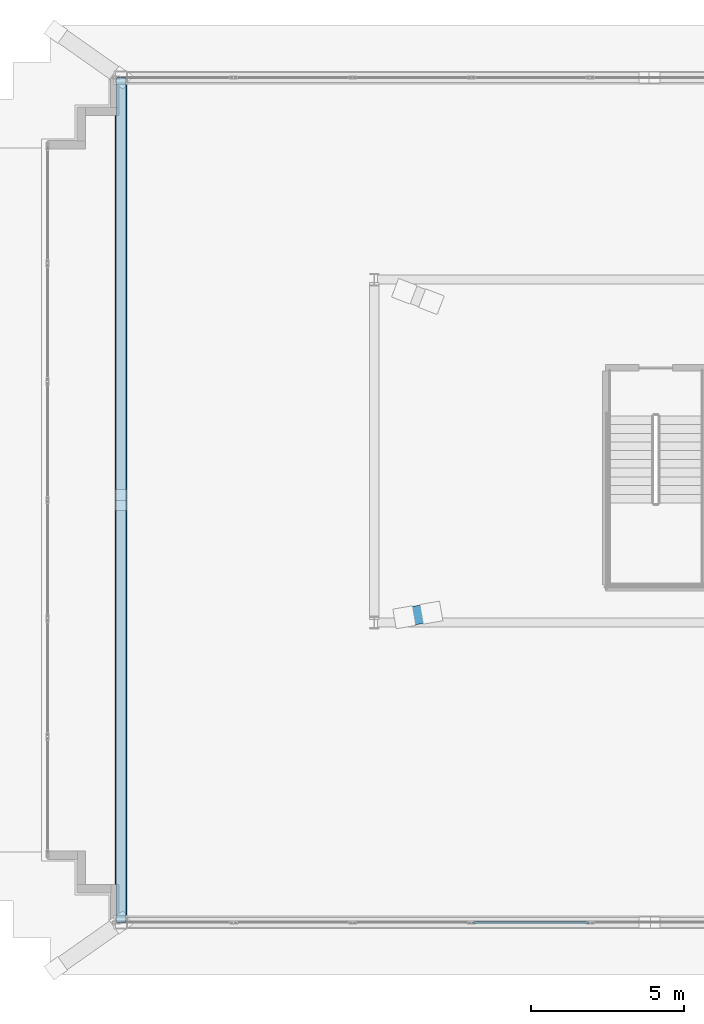
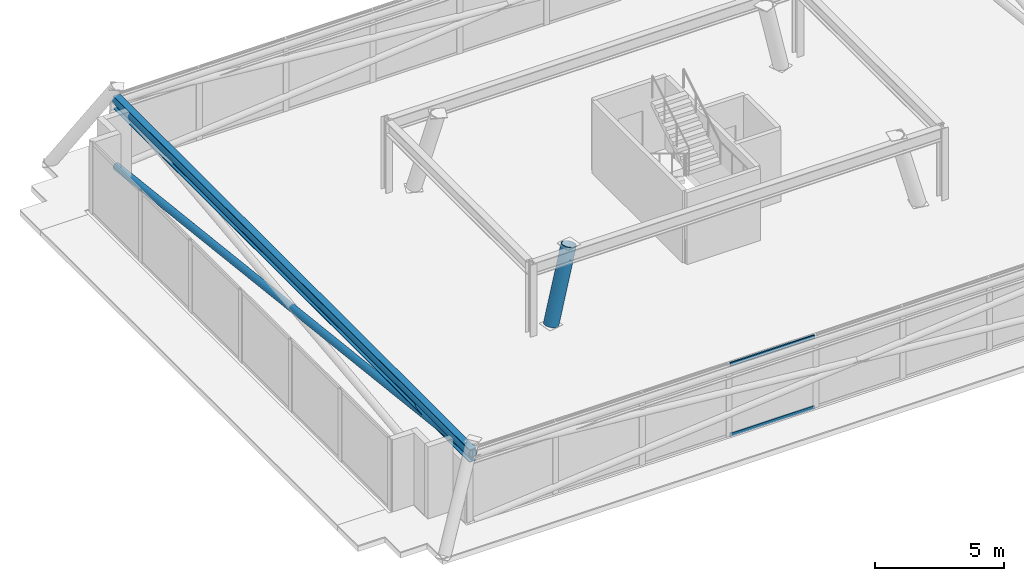
# One storey, part 4 of 22: 5 members, 1 beam, 1 element without a shape of its own.
"""IFC4 building model written with IfcOpenShell, lengths in metres."""

from ifc_helpers import new_model, si_unit, direction, frame, origin, origin_2d, place, context, subcontext, project, spatial, hollow_rectangle, hollow_circle, i_section, extrude, material, layer, layer_set, material_profile, profile_set, type_object, element, aggregate, save


model = new_model("IFC4")

# Units and contexts
model_context = context("Model", 3, precision=1e-05, world=origin(), true_north=direction((0.0, 1.0)))
body_context = subcontext(model_context, "Body", "Model", "MODEL_VIEW")
ifc_project = project(units=[si_unit("LENGTHUNIT", "METRE"), si_unit("AREAUNIT", "SQUARE_METRE"), si_unit("VOLUMEUNIT", "CUBIC_METRE"), si_unit("PLANEANGLEUNIT", "RADIAN"), si_unit("MASSUNIT", "GRAM", prefix="KILO")], contexts=[model_context])

# Site, building, storey
site_placement = place(None, origin())
site = spatial("IfcSite", under=ifc_project, at=site_placement, CompositionType="ELEMENT")
building_placement = place(site_placement, origin())
building = spatial("IfcBuilding", under=site, at=building_placement, Name="Qobustan Lattice House", CompositionType="ELEMENT")
storey_placement = place(building_placement, frame((0.0, 0.0, 274.0)))
storey = spatial("IfcBuildingStorey", under=building, at=storey_placement, Name="L77", CompositionType="ELEMENT", Elevation=274.0)

# Beam
ifc_material_1 = material(Name="Steel S355", Category="steel")
ifc_material_profile_1 = material_profile(ifc_material_1, i_section(OverallWidth=0.300048828125, OverallDepth=0.60009765625, WebThickness=0.015380859375, FlangeThickness=0.030029296875, FilletRadius=0.027099609375, at=origin_2d()), Name="HEB600")
ifc_profile_set_1 = profile_set([ifc_material_profile_1], Name="Steel S355")
beam_type = type_object("IfcBeamType", Name="BM-POD-HEB600", PredefinedType="USERDEFINED", material=ifc_profile_set_1)
beam_placement = place(storey_placement, frame((-17.473388671875, 12.201416015625, 3.10009765625), z_axis=(0.0, -1.0, 0.0), x_axis=(1.0, 0.0, 0.0)))
element("IfcBeam", 1, at=beam_placement, inside=storey, type_object=beam_type, Name="L77 crown perimeter ring beam 4", ObjectType="GIRDER", PredefinedType="USERDEFINED", context=body_context, shape_type="SweptSolid", body=[
    extrude(i_section(OverallWidth=0.300048828125, OverallDepth=0.60009765625, WebThickness=0.015380859375, FlangeThickness=0.030029296875, FilletRadius=0.027099609375, at=origin_2d()), origin(), (0.0, 0.0, 1.0), 27.60302734375),
])

# Curtain wall, members
ifc_material_2 = material(Name="Anodised aluminium and low-E glazing", Category="aluminium")
ifc_layer = layer(ifc_material_2, 0.219970703125)
ifc_layer_set = layer_set([ifc_layer], Name="Anodised aluminium and low-E glazing")
curtain_wall_type = type_object("IfcCurtainWallType", Name="CW-CRN-01", PredefinedType="USERDEFINED", material=ifc_layer_set)
curtain_wall_placement = place(storey_placement, origin())
curtain_wall = element("IfcCurtainWall", 2, at=curtain_wall_placement, inside=storey, type_object=curtain_wall_type, Name="L77 glass-point crown faceted curtain wall 20", ObjectType="CURTAIN WALL", PredefinedType="USERDEFINED")
ifc_material_3 = material(Name="Anodised aluminium EN AW-6063 T6", Category="aluminium")
ifc_material_profile_2 = material_profile(ifc_material_3, hollow_rectangle(XDim=0.06494140625, YDim=0.159912109375, WallThickness=0.00390625, at=origin_2d()), Name="CWT-160x65")
ifc_profile_set_2 = profile_set([ifc_material_profile_2], Name="Anodised aluminium EN AW-6063 T6")
member_type_1 = type_object("IfcMemberType", Name="CWT-HOR-160", PredefinedType="USERDEFINED", material=ifc_profile_set_2)
member_1_placement = place(storey_placement, frame((-2.1865234375, -15.401611328125, 0.032470703125), z_axis=(-1.0, 0.0, 0.0), x_axis=(0.0, -1.0, 0.0)))
member_1 = element("IfcMember", 3, at=member_1_placement, type_object=member_type_1, Name="CW-CR transom 6.1", ObjectType="TRANSOM", PredefinedType="USERDEFINED", context=body_context, shape_type="SweptSolid", body=[
    extrude(hollow_rectangle(XDim=0.06494140625, YDim=0.159912109375, WallThickness=0.00390625, at=origin_2d()), origin(), (0.0, 0.0, 1.0), 3.79296875),
])
member_2_placement = place(storey_placement, frame((-2.1865234375, -15.401611328125, 3.367431640625), z_axis=(-1.0, 0.0, 0.0), x_axis=(0.0, -1.0, 0.0)))
member_2 = element("IfcMember", 4, at=member_2_placement, type_object=member_type_1, Name="CW-CR transom 6.2", ObjectType="TRANSOM", PredefinedType="USERDEFINED", context=body_context, shape_type="SweptSolid", body=[
    extrude(hollow_rectangle(XDim=0.06494140625, YDim=0.159912109375, WallThickness=0.00390625, at=origin_2d()), origin(), (0.0, 0.0, 1.0), 3.79296875),
])
aggregate(curtain_wall, [member_1, member_2])

# Members
ifc_material_4 = material(Name="Steel S355", Category="steel")
ifc_material_profile_3 = material_profile(ifc_material_4, hollow_circle(Radius=0.161865234375, WallThickness=0.012451171875, at=origin_2d()), Name="CHS323.9x12.5")
ifc_profile_set_3 = profile_set([ifc_material_profile_3], Name="Steel S355")
member_type_2 = type_object("IfcMemberType", Name="MEM-CBR-CHS324", PredefinedType="BRACE", material=ifc_profile_set_3)
member_3_placement = place(storey_placement, frame((-17.473388671875, 12.201416015625, 0.014892578125), z_axis=(0.0, -0.993490346331, 0.11391633661), x_axis=(1.0, 0.0, 0.0)))
element("IfcMember", 5, at=member_3_placement, inside=storey, type_object=member_type_2, Name="L77 crown diagrid continuous brace 4A", PredefinedType="BRACE", context=body_context, shape_type="SweptSolid", body=[
    extrude(hollow_circle(Radius=0.161865234375, WallThickness=0.012451171875, at=origin_2d()), origin(), (0.0, 0.0, 1.0), 27.783935546875),
])
ifc_material_5 = material(Name="Steel S355", Category="steel")
ifc_material_profile_4 = material_profile(ifc_material_5, hollow_circle(Radius=0.203125, WallThickness=0.01611328125, at=origin_2d()), Name="CHS406.4x16")
ifc_profile_set_4 = profile_set([ifc_material_profile_4], Name="Steel S355")
member_type_3 = type_object("IfcMemberType", Name="MEM-RNG-CHS406", PredefinedType="CHORD", material=ifc_profile_set_4)
member_4_placement = place(storey_placement, frame((-17.473388671875, 12.201416015625, 3.179931640625), z_axis=(0.0, -1.0, 0.0), x_axis=(1.0, 0.0, 0.0)))
element("IfcMember", 6, at=member_4_placement, inside=storey, type_object=member_type_3, Name="L77 crown ring chord 4", PredefinedType="CHORD", context=body_context, shape_type="SweptSolid", body=[
    extrude(hollow_circle(Radius=0.203125, WallThickness=0.01611328125, at=origin_2d()), origin(), (0.0, 0.0, 1.0), 27.60302734375),
])
ifc_material_6 = material(Name="Steel S355", Category="steel")
ifc_material_profile_5 = material_profile(ifc_material_6, hollow_circle(Radius=0.304931640625, WallThickness=0.02490234375, at=origin_2d()), Name="CHS610x25")
ifc_profile_set_5 = profile_set([ifc_material_profile_5], Name="Steel S355")
member_type_4 = type_object("IfcMemberType", Name="MEM-SPR-CHS610", PredefinedType="USERDEFINED", material=ifc_profile_set_5)
member_5_placement = place(storey_placement, frame((-8.21484375, -5.43115234375, 0.0), z_axis=(0.250766332953, 0.042986530074, 0.967092758989), x_axis=(-0.168956239166, 0.985623553517, 0.0)))
element("IfcMember", 7, at=member_5_placement, inside=storey, type_object=member_type_4, Name="L77 crown spire leg SL1", ObjectType="CROWN FRAME", PredefinedType="USERDEFINED", context=body_context, shape_type="SweptSolid", body=[
    extrude(hollow_circle(Radius=0.304931640625, WallThickness=0.02490234375, at=origin_2d()), origin(), (0.0, 0.0, 1.0), 3.515625),
])

save(model, "model.ifc")
